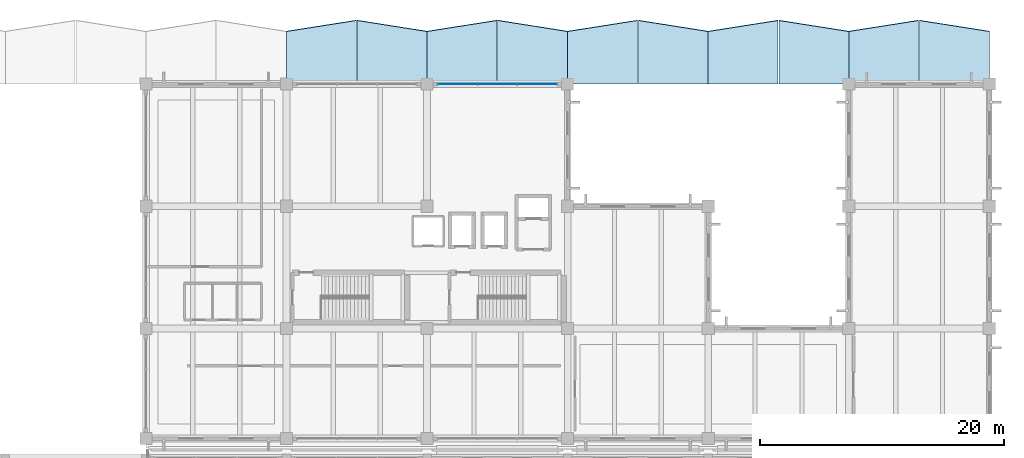
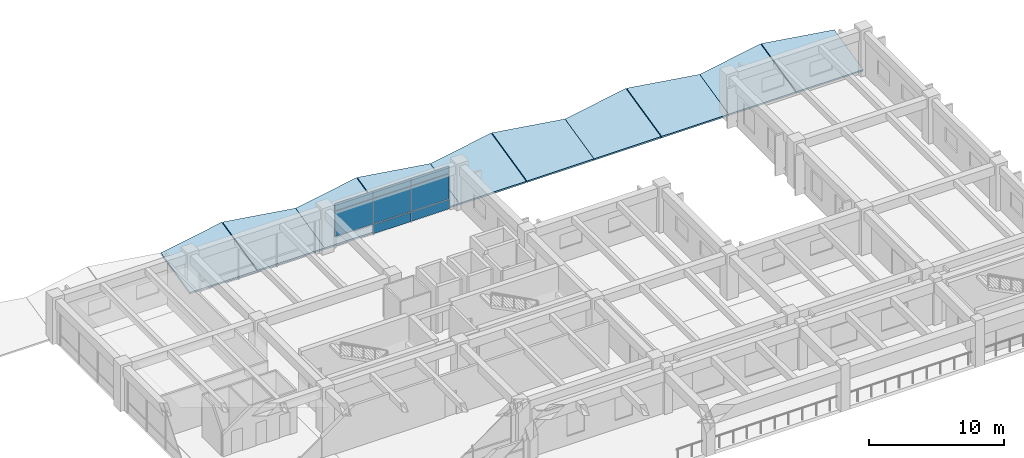
# One storey, part 69 of 98: 10 slabs, 8 plates, 1 element without a shape of its own.
"""IFC4 building model written with IfcOpenShell, lengths in metres."""

from ifc_helpers import new_model, si_unit, direction, frame, origin, origin_2d, place, context, subcontext, project, spatial, polyline, rectangle, outline, extrude, material, layer, layer_set, type_object, element, aggregate, save


model = new_model("IFC4")

# Units and contexts
model_context = context("Model", 3, precision=1e-05, world=origin(), true_north=direction((0.0, 1.0)))
body_context = subcontext(model_context, "Body", "Model", "MODEL_VIEW")
ifc_project = project(units=[si_unit("LENGTHUNIT", "METRE"), si_unit("AREAUNIT", "SQUARE_METRE"), si_unit("VOLUMEUNIT", "CUBIC_METRE"), si_unit("PLANEANGLEUNIT", "RADIAN"), si_unit("MASSUNIT", "GRAM", prefix="KILO")], contexts=[model_context])

# Site, building, storey
site_placement = place(None, origin())
site = spatial("IfcSite", under=ifc_project, at=site_placement, CompositionType="ELEMENT")
building_placement = place(site_placement, origin())
building = spatial("IfcBuilding", under=site, at=building_placement, Name="Ologun Quay Terminus", CompositionType="ELEMENT")
storey_placement = place(building_placement, frame((0.0, 0.0, 4.199951171875)))
storey = spatial("IfcBuildingStorey", under=building, at=storey_placement, Name="L01", CompositionType="ELEMENT", Elevation=4.199951171875)

# Curtain wall, plates
ifc_material_1 = material(Name="Aluminium 6063-T6", Category="aluminium")
curtain_wall_type = type_object("IfcCurtainWallType", Name="Waterfront Pavilion Harbour Curtain Wall L01 10500x3850", PredefinedType="USERDEFINED", material=ifc_material_1)
curtain_wall_placement = place(storey_placement, origin())
curtain_wall = element("IfcCurtainWall", 1, at=curtain_wall_placement, inside=storey, type_object=curtain_wall_type, Name="CW-23 Curtain Wall CW-L01-127", ObjectType="UNITISED CURTAIN WALL", PredefinedType="USERDEFINED")
ifc_material_2 = material(Name="Glass", Category="glass")
ifc_layer_1 = layer(ifc_material_2, 0.031982421875)
ifc_layer_set_1 = layer_set([ifc_layer_1], Name="Glass")
plate_type_1 = type_object("IfcPlateType", Name="Acoustic Low-E Laminated Glazed Panel 32", PredefinedType="CURTAIN_PANEL", material=ifc_layer_set_1)
plate_1_placement = place(storey_placement, frame((140.49658203125, 114.800048828125, 0.929931640625), z_axis=(0.0, 0.0, 1.0), x_axis=(1.0, 0.0, 0.0)))
plate_1 = element("IfcPlate", 2, at=plate_1_placement, type_object=plate_type_1, Name="CW-L01-127 Panel B1-2", PredefinedType="CURTAIN_PANEL", context=body_context, shape_type="SweptSolid", body=[
    extrude(rectangle(XDim=3.25341796875, YDim=0.031982421875, at=origin_2d()), origin(), (0.0, 0.0, 1.0), 2.27001953125),
])
plate_2_placement = place(storey_placement, frame((140.49658203125, 114.800048828125, 3.26025390625), z_axis=(0.0, 0.0, 1.0), x_axis=(1.0, 0.0, 0.0)))
plate_2 = element("IfcPlate", 3, at=plate_2_placement, type_object=plate_type_1, Name="CW-L01-127 Panel B1-3", PredefinedType="CURTAIN_PANEL", context=body_context, shape_type="SweptSolid", body=[
    extrude(rectangle(XDim=3.25341796875, YDim=0.031982421875, at=origin_2d()), origin(), (0.0, 0.0, 1.0), 0.639892578125),
])
plate_3_placement = place(storey_placement, frame((143.75, 114.800048828125, 0.929931640625), z_axis=(0.0, 0.0, 1.0), x_axis=(1.0, 0.0, 0.0)))
plate_3 = element("IfcPlate", 4, at=plate_3_placement, type_object=plate_type_1, Name="CW-L01-127 Panel B2-2", PredefinedType="CURTAIN_PANEL", context=body_context, shape_type="SweptSolid", body=[
    extrude(rectangle(XDim=3.25341796875, YDim=0.031982421875, at=origin_2d()), origin(), (0.0, 0.0, 1.0), 2.27001953125),
])
plate_4_placement = place(storey_placement, frame((143.75, 114.800048828125, 3.26025390625), z_axis=(0.0, 0.0, 1.0), x_axis=(1.0, 0.0, 0.0)))
plate_4 = element("IfcPlate", 5, at=plate_4_placement, type_object=plate_type_1, Name="CW-L01-127 Panel B2-3", PredefinedType="CURTAIN_PANEL", context=body_context, shape_type="SweptSolid", body=[
    extrude(rectangle(XDim=3.25341796875, YDim=0.031982421875, at=origin_2d()), origin(), (0.0, 0.0, 1.0), 0.639892578125),
])
plate_5_placement = place(storey_placement, frame((147.00341796875, 114.800048828125, 0.929931640625), z_axis=(0.0, 0.0, 1.0), x_axis=(1.0, 0.0, 0.0)))
plate_5 = element("IfcPlate", 6, at=plate_5_placement, type_object=plate_type_1, Name="CW-L01-127 Panel B3-2", PredefinedType="CURTAIN_PANEL", context=body_context, shape_type="SweptSolid", body=[
    extrude(rectangle(XDim=3.25341796875, YDim=0.031982421875, at=origin_2d()), origin(), (0.0, 0.0, 1.0), 2.27001953125),
])
plate_6_placement = place(storey_placement, frame((147.00341796875, 114.800048828125, 3.26025390625), z_axis=(0.0, 0.0, 1.0), x_axis=(1.0, 0.0, 0.0)))
plate_6 = element("IfcPlate", 7, at=plate_6_placement, type_object=plate_type_1, Name="CW-L01-127 Panel B3-3", PredefinedType="CURTAIN_PANEL", context=body_context, shape_type="SweptSolid", body=[
    extrude(rectangle(XDim=3.25341796875, YDim=0.031982421875, at=origin_2d()), origin(), (0.0, 0.0, 1.0), 0.639892578125),
])

# Slabs
ifc_material_3 = material(Name="Concrete C45/55", Category="concrete")
ifc_layer_2 = layer(ifc_material_3, 0.179931640625)
ifc_layer_set_2 = layer_set([ifc_layer_2], Name="Concrete C45/55")
slab_type = type_object("IfcSlabType", Name="Folded Plate Concrete Canopy Slab 180", PredefinedType="ROOF", material=ifc_layer_set_2)
slab_1_placement = place(storey_placement, frame((126.5, 114.800048828125, 0.199951171875), z_axis=(-5.421977e-06, -0.224890596449, 0.974384020599), x_axis=(0.999999999985, -1.219352e-06, 5.283088e-06)))
element("IfcSlab", 8, at=slab_1_placement, inside=storey, type_object=slab_type, Name="SL-CNP Harbour Colonnade Canopy Bay 12W", PredefinedType="ROOF", context=body_context, shape_type="SweptSolid", body=[
    extrude(outline(polyline([(0.0, 0.0), (5.719970703040922, 1.2112509107190553e-21), (5.719970703209077, 5.336661969533888), (-1.6815478267274492e-10, 4.413087409581979), (0.0, 0.0)])), origin(), (0.0, 0.0, -1.0), 0.179931640625),
])
slab_2_placement = place(storey_placement, frame((132.280029296875, 114.800048828125, 0.199951171875), z_axis=(5.421977e-06, -0.224890596449, 0.974384020599), x_axis=(0.999999999985, 1.219352e-06, -5.283088e-06)))
element("IfcSlab", 9, at=slab_2_placement, inside=storey, type_object=slab_type, Name="SL-CNP Harbour Colonnade Canopy Bay 12E", PredefinedType="ROOF", context=body_context, shape_type="SweptSolid", body=[
    extrude(outline(polyline([(0.0, 0.0), (5.719970703040922, -1.2112509107190553e-21), (5.719970703209078, 4.413087409581979), (-1.6815478267274492e-10, 5.336661969533888), (0.0, 0.0)])), origin(), (0.0, 0.0, -1.0), 0.179931640625),
])
slab_3_placement = place(storey_placement, frame((138.0, 114.800048828125, 0.199951171875), z_axis=(-5.421977e-06, -0.224890596449, 0.974384020599), x_axis=(0.999999999985, -1.219352e-06, 5.283088e-06)))
element("IfcSlab", 10, at=slab_3_placement, inside=storey, type_object=slab_type, Name="SL-CNP Harbour Colonnade Canopy Bay 13W", PredefinedType="ROOF", context=body_context, shape_type="SweptSolid", body=[
    extrude(outline(polyline([(0.0, 0.0), (5.719970703040922, 1.2112509107190553e-21), (5.719970703209077, 5.336661969533888), (-1.6815478267274492e-10, 4.413087409581979), (0.0, 0.0)])), origin(), (0.0, 0.0, -1.0), 0.179931640625),
])
slab_4_placement = place(storey_placement, frame((143.780029296875, 114.800048828125, 0.199951171875), z_axis=(5.421977e-06, -0.224890596449, 0.974384020599), x_axis=(0.999999999985, 1.219352e-06, -5.283088e-06)))
element("IfcSlab", 11, at=slab_4_placement, inside=storey, type_object=slab_type, Name="SL-CNP Harbour Colonnade Canopy Bay 13E", PredefinedType="ROOF", context=body_context, shape_type="SweptSolid", body=[
    extrude(outline(polyline([(0.0, 0.0), (5.719970703040922, -1.2112509107190553e-21), (5.719970703209078, 4.413087409581979), (-1.6815478267274492e-10, 5.336661969533888), (0.0, 0.0)])), origin(), (0.0, 0.0, -1.0), 0.179931640625),
])
slab_5_placement = place(storey_placement, frame((149.5, 114.800048828125, 0.199951171875), z_axis=(-5.421977e-06, -0.224890596449, 0.974384020599), x_axis=(0.999999999985, -1.219352e-06, 5.283088e-06)))
element("IfcSlab", 12, at=slab_5_placement, inside=storey, type_object=slab_type, Name="SL-CNP Harbour Colonnade Canopy Bay 14W", PredefinedType="ROOF", context=body_context, shape_type="SweptSolid", body=[
    extrude(outline(polyline([(0.0, 0.0), (5.719970703040922, 1.2112509107190553e-21), (5.719970703209077, 5.336661969533888), (-1.6815478267274492e-10, 4.413087409581979), (0.0, 0.0)])), origin(), (0.0, 0.0, -1.0), 0.179931640625),
])
slab_6_placement = place(storey_placement, frame((155.280029296875, 114.800048828125, 0.199951171875), z_axis=(5.421977e-06, -0.224890596449, 0.974384020599), x_axis=(0.999999999985, 1.219352e-06, -5.283088e-06)))
element("IfcSlab", 13, at=slab_6_placement, inside=storey, type_object=slab_type, Name="SL-CNP Harbour Colonnade Canopy Bay 14E", PredefinedType="ROOF", context=body_context, shape_type="SweptSolid", body=[
    extrude(outline(polyline([(0.0, 0.0), (5.719970703040922, -1.2112509107190553e-21), (5.719970703209078, 4.413087409581979), (-1.6815478267274492e-10, 5.336661969533888), (0.0, 0.0)])), origin(), (0.0, 0.0, -1.0), 0.179931640625),
])
slab_7_placement = place(storey_placement, frame((161.0, 114.800048828125, 0.199951171875), z_axis=(-5.421977e-06, -0.224890596449, 0.974384020599), x_axis=(0.999999999985, -1.219352e-06, 5.283088e-06)))
element("IfcSlab", 14, at=slab_7_placement, inside=storey, type_object=slab_type, Name="SL-CNP Harbour Colonnade Canopy Bay 15W", PredefinedType="ROOF", context=body_context, shape_type="SweptSolid", body=[
    extrude(outline(polyline([(0.0, 0.0), (5.719970703040922, 1.2112509107190553e-21), (5.719970703209077, 5.336661969533888), (-1.6815478267274492e-10, 4.413087409581979), (0.0, 0.0)])), origin(), (0.0, 0.0, -1.0), 0.179931640625),
])
slab_8_placement = place(storey_placement, frame((166.780029296875, 114.800048828125, 0.199951171875), z_axis=(5.421977e-06, -0.224890596449, 0.974384020599), x_axis=(0.999999999985, 1.219352e-06, -5.283088e-06)))
element("IfcSlab", 15, at=slab_8_placement, inside=storey, type_object=slab_type, Name="SL-CNP Harbour Colonnade Canopy Bay 15E", PredefinedType="ROOF", context=body_context, shape_type="SweptSolid", body=[
    extrude(outline(polyline([(0.0, 0.0), (5.719970703040922, -1.2112509107190553e-21), (5.719970703209078, 4.413087409581979), (-1.6815478267274492e-10, 5.336661969533888), (0.0, 0.0)])), origin(), (0.0, 0.0, -1.0), 0.179931640625),
])
slab_9_placement = place(storey_placement, frame((172.5, 114.800048828125, 0.199951171875), z_axis=(-5.421977e-06, -0.224890596449, 0.974384020599), x_axis=(0.999999999985, -1.219352e-06, 5.283088e-06)))
element("IfcSlab", 16, at=slab_9_placement, inside=storey, type_object=slab_type, Name="SL-CNP Harbour Colonnade Canopy Bay 16W", PredefinedType="ROOF", context=body_context, shape_type="SweptSolid", body=[
    extrude(outline(polyline([(0.0, 0.0), (5.719970703040922, 1.2112509107190553e-21), (5.719970703209077, 5.336661969533888), (-1.6815478267274492e-10, 4.413087409581979), (0.0, 0.0)])), origin(), (0.0, 0.0, -1.0), 0.179931640625),
])
slab_10_placement = place(storey_placement, frame((178.280029296875, 114.800048828125, 0.199951171875), z_axis=(5.421977e-06, -0.224890596449, 0.974384020599), x_axis=(0.999999999985, 1.219352e-06, -5.283088e-06)))
element("IfcSlab", 17, at=slab_10_placement, inside=storey, type_object=slab_type, Name="SL-CNP Harbour Colonnade Canopy Bay 16E", PredefinedType="ROOF", context=body_context, shape_type="SweptSolid", body=[
    extrude(outline(polyline([(0.0, 0.0), (5.719970703040922, -1.2112509107190553e-21), (5.719970703209078, 4.413087409581979), (-1.6815478267274492e-10, 5.336661969533888), (0.0, 0.0)])), origin(), (0.0, 0.0, -1.0), 0.179931640625),
])

# Plate
ifc_material_4 = material(Name="Aluminium 6063-T6", Category="aluminium")
ifc_layer_3 = layer(ifc_material_4, 0.050048828125)
ifc_layer_set_3 = layer_set([ifc_layer_3], Name="Aluminium 6063-T6")
plate_type_2 = type_object("IfcPlateType", Name="Insulated Aluminium Shadow-Box Spandrel 50", PredefinedType="CURTAIN_PANEL", material=ifc_layer_set_3)
plate_7_placement = place(storey_placement, frame((143.75, 114.800048828125, 0.02978515625), z_axis=(0.0, 0.0, 1.0), x_axis=(1.0, 0.0, 0.0)))
plate_7 = element("IfcPlate", 18, at=plate_7_placement, type_object=plate_type_2, Name="CW-L01-127 Panel B2-1", PredefinedType="CURTAIN_PANEL", context=body_context, shape_type="SweptSolid", body=[
    extrude(rectangle(XDim=3.25341796875, YDim=0.050048828125, at=origin_2d()), origin(), (0.0, 0.0, 1.0), 0.840087890625),
])

plate_8_placement = place(storey_placement, frame((147.00341796875, 114.800048828125, 0.02978515625), z_axis=(0.0, 0.0, 1.0), x_axis=(1.0, 0.0, 0.0)))
plate_8 = element("IfcPlate", 19, at=plate_8_placement, type_object=plate_type_2, Name="CW-L01-127 Panel B3-1", PredefinedType="CURTAIN_PANEL", context=body_context, shape_type="SweptSolid", body=[
    extrude(rectangle(XDim=3.25341796875, YDim=0.050048828125, at=origin_2d()), origin(), (0.0, 0.0, 1.0), 0.840087890625),
])

aggregate(curtain_wall, [plate_1, plate_2, plate_7, plate_3, plate_4, plate_8, plate_5, plate_6])

save(model, "model.ifc")
